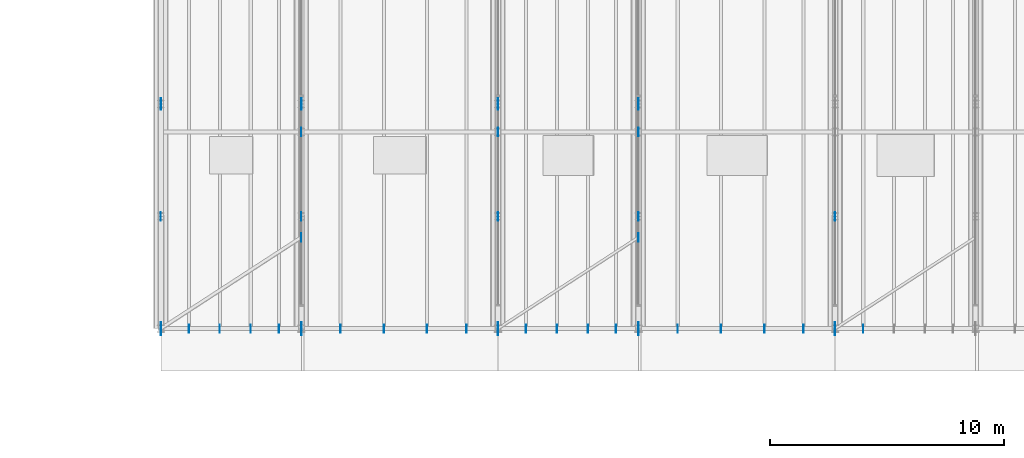
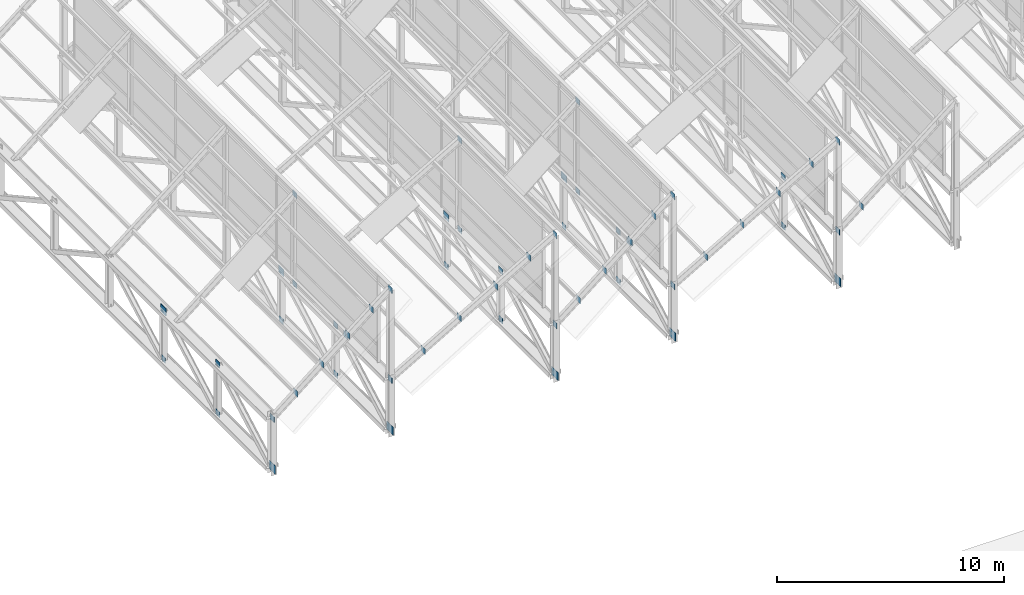
# One storey, part 37 of 101: 57 plates.
"""IFC4 building model written with IfcOpenShell, lengths in metres."""

from ifc_helpers import new_model, si_unit, direction, frame, origin, origin_2d, place, context, subcontext, project, spatial, rectangle, extrude, material, layer, layer_set, type_object, element, save


model = new_model("IFC4")

# Units and contexts
model_context = context("Model", 3, precision=1e-05, world=origin(), true_north=direction((0.0, 1.0)))
body_context = subcontext(model_context, "Body", "Model", "MODEL_VIEW")
ifc_project = project(units=[si_unit("LENGTHUNIT", "METRE"), si_unit("AREAUNIT", "SQUARE_METRE"), si_unit("VOLUMEUNIT", "CUBIC_METRE"), si_unit("PLANEANGLEUNIT", "RADIAN"), si_unit("MASSUNIT", "GRAM", prefix="KILO"), si_unit("THERMODYNAMICTEMPERATUREUNIT", "KELVIN")], contexts=[model_context])

# Site, building, storey
site_placement = place(None, origin())
site = spatial("IfcSite", under=ifc_project, at=site_placement, CompositionType="ELEMENT")
building_placement = place(site_placement, origin())
building = spatial("IfcBuilding", under=site, at=building_placement, Name="Thalorik Housing Commons", CompositionType="ELEMENT")
storey_placement = place(building_placement, frame((0.0, 0.0, 8.10009765625)))
storey = spatial("IfcBuildingStorey", under=building, at=storey_placement, Name="L02", CompositionType="ELEMENT", Elevation=8.10009765625)

# Plates
ifc_material = material(Name="Steel S355", Category="steel")
ifc_layer_1 = layer(ifc_material, 0.02001953125, Name="Steel S355", Category="steel")
ifc_layer_set_1 = layer_set([ifc_layer_1], Name="Steel S355")
plate_type_1 = type_object("IfcPlateType", Name="STR-PLT-GP01", PredefinedType="SHEET", material=ifc_layer_set_1)
for number, where, z_axis, x_axis, name in (
    (1, (66.0, 57.60009765625, 0.1298828125), (0.0, 0.0, 1.0), (1.0, 0.0, 0.0), "L02 Truss Node Gusset Plate 1"),
    (2, (72.0, 57.60009765625, 0.1298828125), (0.0, 0.0, 1.0), (1.0, 0.0, 0.0), "L02 Truss Node Gusset Plate 5"),
    (3, (80.39990234375, 57.60009765625, 0.1298828125), (0.0, 0.0, 1.0), (1.0, 0.0, 0.0), "L02 Truss Node Gusset Plate 9"),
    (4, (86.39990234375, 57.60009765625, 0.1298828125), (0.0, 0.0, 1.0), (1.0, 0.0, 0.0), "L02 Truss Node Gusset Plate 13"),
    (5, (94.800048828125, 57.60009765625, 0.1298828125), (0.0, 0.0, 1.0), (1.0, 0.0, 0.0), "L02 Truss Node Gusset Plate 17"),
):
    element("IfcPlate", number, at=place(storey_placement, frame(where, z_axis=z_axis, x_axis=x_axis)), inside=storey, type_object=plate_type_1, Name=name, PredefinedType="SHEET", context=body_context, shape_type="SweptSolid", body=[
        extrude(rectangle(XDim=0.02001953125, YDim=0.56005859375, at=origin_2d()), origin(), (0.0, 0.0, 1.0), 0.43994140625),
    ])
ifc_layer_2 = layer(ifc_material, 0.02001953125, Name="Steel S355", Category="steel")
ifc_layer_set_2 = layer_set([ifc_layer_2], Name="Steel S355")
plate_type_2 = type_object("IfcPlateType", Name="STR-PLT-GP02", PredefinedType="SHEET", material=ifc_layer_set_2)
for number, where, z_axis, x_axis, name in (
    (6, (66.0, 67.199951171875, 2.81005859375), (0.0, 0.0, 1.0), (1.0, 0.0, 0.0), "L02 Truss Node Gusset Plate 2"),
    (7, (72.0, 67.199951171875, 2.81005859375), (0.0, 0.0, 1.0), (1.0, 0.0, 0.0), "L02 Truss Node Gusset Plate 6"),
    (8, (80.39990234375, 67.199951171875, 2.81005859375), (0.0, 0.0, 1.0), (1.0, 0.0, 0.0), "L02 Truss Node Gusset Plate 10"),
    (9, (86.39990234375, 67.199951171875, 2.81005859375), (0.0, 0.0, 1.0), (1.0, 0.0, 0.0), "L02 Truss Node Gusset Plate 14"),
):
    element("IfcPlate", number, at=place(storey_placement, frame(where, z_axis=z_axis, x_axis=x_axis)), inside=storey, type_object=plate_type_2, Name=name, PredefinedType="SHEET", context=body_context, shape_type="SweptSolid", body=[
        extrude(rectangle(XDim=0.02001953125, YDim=0.47998046875, at=origin_2d()), origin(), (0.0, 0.0, 1.0), 0.3798828125),
    ])
ifc_layer_3 = layer(ifc_material, 0.01611328125, Name="Steel S355", Category="steel")
ifc_layer_set_3 = layer_set([ifc_layer_3], Name="Steel S355")
plate_type_3 = type_object("IfcPlateType", Name="STR-PLT-GP04", PredefinedType="SHEET", material=ifc_layer_set_3)
for number, where, z_axis, x_axis, name in (
    (10, (66.0, 57.60009765625, 2.85009765625), (0.0, 0.0, 1.0), (1.0, 0.0, 0.0), "L02 Member End Connection Plate 1"),
    (11, (66.0, 62.39990234375, 0.19970703125), (0.0, 0.0, 1.0), (1.0, 0.0, 0.0), "L02 Member End Connection Plate 3"),
    (12, (66.0, 62.39990234375, 2.85009765625), (0.0, 0.0, 1.0), (1.0, 0.0, 0.0), "L02 Member End Connection Plate 4"),
    (13, (66.0, 67.199951171875, 0.19970703125), (0.0, 0.0, 1.0), (1.0, 0.0, 0.0), "L02 Member End Connection Plate 5"),
    (14, (72.0, 57.60009765625, 2.85009765625), (0.0, 0.0, 1.0), (1.0, 0.0, 0.0), "L02 Member End Connection Plate 11"),
    (15, (72.0, 62.39990234375, 0.19970703125), (0.0, 0.0, 1.0), (1.0, 0.0, 0.0), "L02 Member End Connection Plate 13"),
    (16, (72.0, 62.39990234375, 2.85009765625), (0.0, 0.0, 1.0), (1.0, 0.0, 0.0), "L02 Member End Connection Plate 14"),
    (17, (72.0, 67.199951171875, 0.19970703125), (0.0, 0.0, 1.0), (1.0, 0.0, 0.0), "L02 Member End Connection Plate 15"),
    (18, (80.39990234375, 57.60009765625, 2.85009765625), (0.0, 0.0, 1.0), (1.0, 0.0, 0.0), "L02 Member End Connection Plate 21"),
    (19, (80.39990234375, 62.39990234375, 0.19970703125), (0.0, 0.0, 1.0), (1.0, 0.0, 0.0), "L02 Member End Connection Plate 23"),
    (20, (80.39990234375, 62.39990234375, 2.85009765625), (0.0, 0.0, 1.0), (1.0, 0.0, 0.0), "L02 Member End Connection Plate 24"),
    (21, (80.39990234375, 67.199951171875, 0.19970703125), (0.0, 0.0, 1.0), (1.0, 0.0, 0.0), "L02 Member End Connection Plate 25"),
    (22, (86.39990234375, 57.60009765625, 2.85009765625), (0.0, 0.0, 1.0), (1.0, 0.0, 0.0), "L02 Member End Connection Plate 31"),
    (23, (86.39990234375, 62.39990234375, 0.19970703125), (0.0, 0.0, 1.0), (1.0, 0.0, 0.0), "L02 Member End Connection Plate 33"),
    (24, (86.39990234375, 62.39990234375, 2.85009765625), (0.0, 0.0, 1.0), (1.0, 0.0, 0.0), "L02 Member End Connection Plate 34"),
    (25, (86.39990234375, 67.199951171875, 0.19970703125), (0.0, 0.0, 1.0), (1.0, 0.0, 0.0), "L02 Member End Connection Plate 35"),
    (26, (94.800048828125, 57.60009765625, 2.85009765625), (0.0, 0.0, 1.0), (1.0, 0.0, 0.0), "L02 Member End Connection Plate 41"),
    (27, (94.800048828125, 62.39990234375, 0.19970703125), (0.0, 0.0, 1.0), (1.0, 0.0, 0.0), "L02 Member End Connection Plate 43"),
    (28, (94.800048828125, 62.39990234375, 2.85009765625), (0.0, 0.0, 1.0), (1.0, 0.0, 0.0), "L02 Member End Connection Plate 44"),
    (29, (72.0, 57.60009765625, 7.69970703125), (0.0, 0.0, 1.0), (1.0, 0.0, 0.0), "L02 Member End Connection Plate 81"),
    (30, (72.0, 66.0, 2.85009765625), (0.0, 0.0, 1.0), (1.0, 0.0, 0.0), "L02 Member End Connection Plate 82"),
    (31, (72.0, 66.0, 7.69970703125), (0.0, 0.0, 1.0), (1.0, 0.0, 0.0), "L02 Member End Connection Plate 83"),
    (32, (67.199951171875, 57.60009765625, 3.7841796875), (0.0, 0.0, 1.0), (1.0, 0.0, 0.0), "L02 Member End Connection Plate 88"),
    (33, (68.52001953125, 57.60009765625, 4.90625), (0.0, 0.0, 1.0), (1.0, 0.0, 0.0), "L02 Member End Connection Plate 90"),
    (34, (69.840087890625, 57.60009765625, 5.99365234375), (0.0, 0.0, 1.0), (1.0, 0.0, 0.0), "L02 Member End Connection Plate 92"),
    (35, (71.0400390625, 57.60009765625, 6.9638671875), (0.0, 0.0, 1.0), (1.0, 0.0, 0.0), "L02 Member End Connection Plate 94"),
    (36, (72.0, 61.5, 2.85009765625), (0.0, 0.0, 1.0), (1.0, 0.0, 0.0), "L02 Member End Connection Plate 96"),
    (37, (80.39990234375, 57.60009765625, 7.69970703125), (0.0, 0.0, 1.0), (1.0, 0.0, 0.0), "L02 Member End Connection Plate 98"),
    (38, (80.39990234375, 66.0, 2.85009765625), (0.0, 0.0, 1.0), (1.0, 0.0, 0.0), "L02 Member End Connection Plate 99"),
    (39, (80.39990234375, 66.0, 7.69970703125), (0.0, 0.0, 1.0), (1.0, 0.0, 0.0), "L02 Member End Connection Plate 100"),
    (40, (73.679931640625, 57.60009765625, 3.826171875), (0.0, 0.0, 1.0), (1.0, 0.0, 0.0), "L02 Member End Connection Plate 105"),
    (41, (75.528076171875, 57.60009765625, 4.9267578125), (0.0, 0.0, 1.0), (1.0, 0.0, 0.0), "L02 Member End Connection Plate 107"),
    (42, (77.3759765625, 57.60009765625, 5.99365234375), (0.0, 0.0, 1.0), (1.0, 0.0, 0.0), "L02 Member End Connection Plate 109"),
    (43, (79.055908203125, 57.60009765625, 6.9638671875), (0.0, 0.0, 1.0), (1.0, 0.0, 0.0), "L02 Member End Connection Plate 111"),
    (44, (86.39990234375, 57.60009765625, 7.69970703125), (0.0, 0.0, 1.0), (1.0, 0.0, 0.0), "L02 Member End Connection Plate 113"),
    (45, (86.39990234375, 66.0, 2.85009765625), (0.0, 0.0, 1.0), (1.0, 0.0, 0.0), "L02 Member End Connection Plate 114"),
    (46, (86.39990234375, 66.0, 7.69970703125), (0.0, 0.0, 1.0), (1.0, 0.0, 0.0), "L02 Member End Connection Plate 115"),
    (47, (81.60009765625, 57.60009765625, 3.7841796875), (0.0, 0.0, 1.0), (1.0, 0.0, 0.0), "L02 Member End Connection Plate 120"),
    (48, (82.919921875, 57.60009765625, 4.90625), (0.0, 0.0, 1.0), (1.0, 0.0, 0.0), "L02 Member End Connection Plate 122"),
    (49, (84.239990234375, 57.60009765625, 5.99365234375), (0.0, 0.0, 1.0), (1.0, 0.0, 0.0), "L02 Member End Connection Plate 124"),
    (50, (85.43994140625, 57.60009765625, 6.9638671875), (0.0, 0.0, 1.0), (1.0, 0.0, 0.0), "L02 Member End Connection Plate 126"),
    (51, (86.39990234375, 61.5, 2.85009765625), (0.0, 0.0, 1.0), (1.0, 0.0, 0.0), "L02 Member End Connection Plate 128"),
    (52, (94.800048828125, 57.60009765625, 7.69970703125), (0.0, 0.0, 1.0), (1.0, 0.0, 0.0), "L02 Member End Connection Plate 130"),
    (53, (88.080078125, 57.60009765625, 3.826171875), (0.0, 0.0, 1.0), (1.0, 0.0, 0.0), "L02 Member End Connection Plate 137"),
    (54, (89.927978515625, 57.60009765625, 4.9267578125), (0.0, 0.0, 1.0), (1.0, 0.0, 0.0), "L02 Member End Connection Plate 139"),
    (55, (91.77587890625, 57.60009765625, 5.99365234375), (0.0, 0.0, 1.0), (1.0, 0.0, 0.0), "L02 Member End Connection Plate 141"),
    (56, (93.4560546875, 57.60009765625, 6.9638671875), (0.0, 0.0, 1.0), (1.0, 0.0, 0.0), "L02 Member End Connection Plate 143"),
    (57, (96.0, 57.60009765625, 3.7841796875), (0.0, 0.0, 1.0), (1.0, 0.0, 0.0), "L02 Member End Connection Plate 152"),
):
    element("IfcPlate", number, at=place(storey_placement, frame(where, z_axis=z_axis, x_axis=x_axis)), inside=storey, type_object=plate_type_3, Name=name, PredefinedType="SHEET", context=body_context, shape_type="SweptSolid", body=[
        extrude(rectangle(XDim=0.01611328125, YDim=0.360107421875, at=origin_2d()), origin(), (0.0, 0.0, 1.0), 0.300048828125),
    ])

save(model, "model.ifc")
